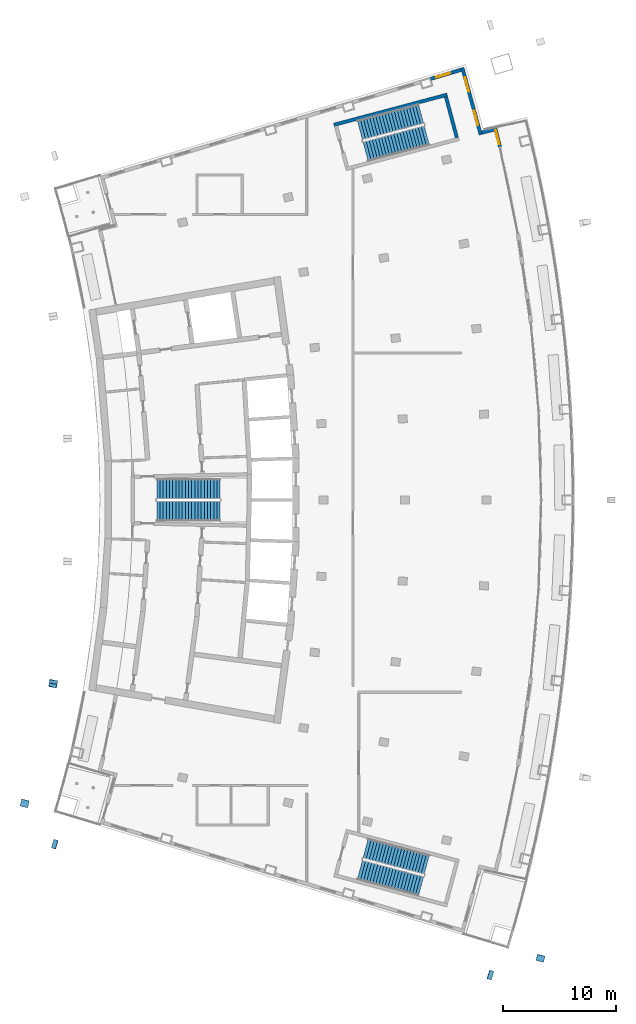
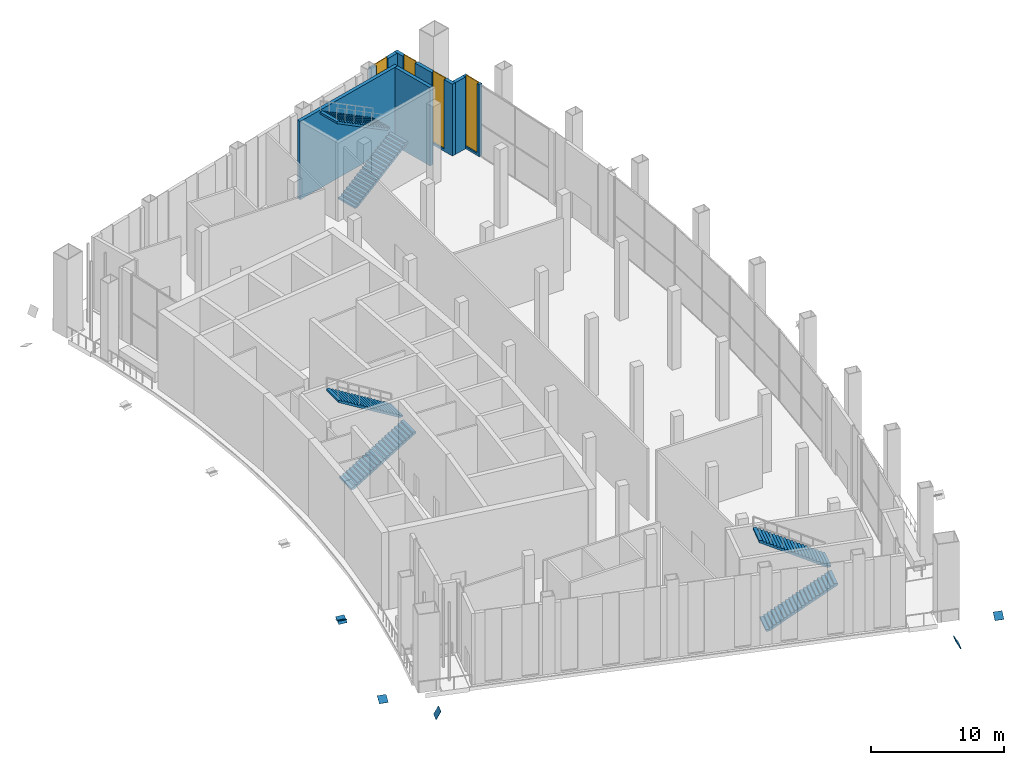
# One storey, part 17 of 24: 6 discrete accessories, 6 stair flights, 6 walls, 4 windows, 4 openings, 3 elements without a shape of their own.
"""IFC4 building model written with IfcOpenShell, lengths in metres."""

import ifcopenshell
import ifcopenshell.guid

model = None  # the IFC model being written
_history = None  # IfcOwnerHistory: only IFC2X3 demands one
_inside = {}  # id of a spatial element -> (the spatial element, [elements in it])
_under = {}  # id of a project, library or spatial element -> (it, [spatial elements below it])
_declared = {}  # id of a project -> (the project, [libraries it declares])
_typed = {}  # id of a type object -> (the type object, [elements of that type])
_made_of = {}  # id of a material, layer set ... -> (it, [elements and type objects made of it])


def new_model(schema):
    """Start an empty IFC model of exactly this schema.

    Asked for "IFC4X3", IfcOpenShell would pick the latest addendum, in which some entities
    have other attributes; the version numbers below select the first issue.
    IFC2X3 requires an IfcOwnerHistory on every rooted entity: one is made here for all.
    """
    global model, _history
    if schema == "IFC4X3":
        model = ifcopenshell.file(schema_version=(4, 3, 0, 0))
    else:
        model = ifcopenshell.file(schema=schema)
    _inside.clear()
    _under.clear()
    _declared.clear()
    _typed.clear()
    _made_of.clear()
    _history = None
    if model.schema == "IFC2X3":
        org = make("IfcOrganization", Name="unknown")
        user = make(
            "IfcPersonAndOrganization",
            ThePerson=make("IfcPerson", FamilyName="unknown"),
            TheOrganization=org,
        )
        app = make(
            "IfcApplication",
            ApplicationDeveloper=org,
            Version="unknown",
            ApplicationFullName="unknown",
            ApplicationIdentifier="unknown",
        )
        _history = make(
            "IfcOwnerHistory",
            OwningUser=user,
            OwningApplication=app,
            ChangeAction="ADDED",
            CreationDate=0,
        )
    return model


def make(cls, **values):
    """One entity of the class cls with the attributes given. An attribute that is None is left unset."""
    return model.create_entity(
        cls, **{name: value for name, value in values.items() if value is not None}
    )


def rooted(cls, **values):
    """An entity with a GlobalId (a new one), such as an element, a storey or a relation."""
    return make(cls, GlobalId=ifcopenshell.guid.new(), OwnerHistory=_history, **values)


def si_unit(unit_type, name, prefix=None):
    """IfcSIUnit, for example si_unit("LENGTHUNIT", "METRE", prefix="MILLI")."""
    return make("IfcSIUnit", UnitType=unit_type, Prefix=prefix, Name=name)


def assignment(units):
    """IfcUnitAssignment: the units of a project."""
    return None if units is None else make("IfcUnitAssignment", Units=units)


def point(xyz):
    """IfcCartesianPoint."""
    return None if xyz is None else make("IfcCartesianPoint", Coordinates=xyz)


def direction(xyz):
    """IfcDirection."""
    return None if xyz is None else make("IfcDirection", DirectionRatios=xyz)


def frame(location, z_axis=None, x_axis=None):
    """IfcAxis2Placement3D, a coordinate frame: its origin and axes. An axis left out is left unset."""
    return make(
        "IfcAxis2Placement3D",
        Location=point(location),
        Axis=direction(z_axis),
        RefDirection=direction(x_axis),
    )


def frame_2d(location, x_axis=None):
    """IfcAxis2Placement2D, a coordinate frame in the plane: its origin and x axis."""
    return make(
        "IfcAxis2Placement2D", Location=point(location), RefDirection=direction(x_axis)
    )


def origin():
    """The frame at (0, 0, 0) with its axes left unset."""
    return frame((0.0, 0.0, 0.0))


def origin_2d():
    """The frame at (0, 0) in the plane with its x axis left unset."""
    return frame_2d((0.0, 0.0))


def place(relative_to, where):
    """IfcLocalPlacement: puts the frame where relative to a parent placement (None: the world)."""
    return make(
        "IfcLocalPlacement", PlacementRelTo=relative_to, RelativePlacement=where
    )


def context(
    kind, dimensions, precision=None, world=None, true_north=None, identifier=None
):
    """IfcGeometricRepresentationContext, for example the 3D "Model" context."""
    return make(
        "IfcGeometricRepresentationContext",
        ContextIdentifier=identifier,
        ContextType=kind,
        CoordinateSpaceDimension=dimensions,
        Precision=precision,
        WorldCoordinateSystem=world,
        TrueNorth=true_north,
    )


def subcontext(parent, identifier, kind, view, scale=None):
    """IfcGeometricRepresentationSubContext, for example "Body" below "Model"."""
    return make(
        "IfcGeometricRepresentationSubContext",
        ContextIdentifier=identifier,
        ContextType=kind,
        ParentContext=parent,
        TargetScale=scale,
        TargetView=view,
    )


def project(units=None, contexts=None):
    """IfcProject with its units and contexts."""
    return rooted(
        "IfcProject",
        Name="project",
        RepresentationContexts=contexts,
        UnitsInContext=assignment(units),
    )


def spatial(cls, under=None, at=None, **own):
    """A site, building, storey or space (cls), placed at a placement, below another one or the project."""
    s = rooted(cls, ObjectPlacement=at, **own)
    if under is not None:
        _under.setdefault(under.id(), (under, []))[1].append(s)
    return s


def polyline(points):
    """IfcPolyline through the points."""
    return make("IfcPolyline", Points=[point(p) for p in points])


def profile(cls, at=None, kind="AREA", **sizes):
    """A parametric profile (cls). Its sizes go by their IFC names, for example OverallWidth=200.0."""
    return make(cls, ProfileType=kind, Position=at, **sizes)


def rectangle(**sizes):
    """IfcRectangleProfileDef."""
    return profile("IfcRectangleProfileDef", **sizes)


def outline(outer, holes=None, kind="AREA"):
    """IfcArbitraryClosedProfileDef: a profile drawn as a closed curve; with holes, ...WithVoids."""
    if holes is None:
        return make("IfcArbitraryClosedProfileDef", ProfileType=kind, OuterCurve=outer)
    return make(
        "IfcArbitraryProfileDefWithVoids",
        ProfileType=kind,
        OuterCurve=outer,
        InnerCurves=holes,
    )


def extrude(swept, where, along, depth):
    """IfcExtrudedAreaSolid: the profile swept, set in the frame where, extruded along a direction by depth."""
    return make(
        "IfcExtrudedAreaSolid",
        SweptArea=swept,
        Position=where,
        ExtrudedDirection=direction(along),
        Depth=depth,
    )


def shape(context_of_items, identifier, shape_type, items):
    """IfcShapeRepresentation: the items that make up one representation, for example the "Body"."""
    return make(
        "IfcShapeRepresentation",
        ContextOfItems=context_of_items,
        RepresentationIdentifier=identifier,
        RepresentationType=shape_type,
        Items=items,
    )


def material(Name=None, Category=None):
    """IfcMaterial."""
    return make("IfcMaterial", Name=Name, Category=Category)


def layer(
    of_material, thickness, ventilated=None, Name=None, Category=None, Priority=None
):
    """IfcMaterialLayer: one layer of a wall or slab, of a material (None: an air gap)."""
    return make(
        "IfcMaterialLayer",
        Material=of_material,
        LayerThickness=thickness,
        IsVentilated=ventilated,
        Name=Name,
        Category=Category,
        Priority=Priority,
    )


def layer_set(layers, Name=None):
    """IfcMaterialLayerSet."""
    return make("IfcMaterialLayerSet", MaterialLayers=layers, LayerSetName=Name)


def material_profile(
    of_material, cross_section, Name=None, Category=None, Priority=None
):
    """IfcMaterialProfile: a cross section and its material."""
    return make(
        "IfcMaterialProfile",
        Name=Name,
        Material=of_material,
        Profile=cross_section,
        Priority=Priority,
        Category=Category,
    )


def profile_set(profiles, Name=None, composite=None):
    """IfcMaterialProfileSet."""
    return make(
        "IfcMaterialProfileSet",
        Name=Name,
        MaterialProfiles=profiles,
        CompositeProfile=composite,
    )


def made_of(thing, what):
    """Note that an element or type object is made of a material, layer set ...; save() writes the relation."""
    if what is not None:
        _made_of.setdefault(what.id(), (what, []))[1].append(thing)
    return thing


def type_object(cls, material=None, **own):
    """A type object (cls), such as IfcWallType, which elements share."""
    return made_of(rooted(cls, **own), material)


def element(
    cls,
    number,
    at=None,
    inside=None,
    cuts=None,
    type_object=None,
    material=None,
    context=None,
    identifier="Body",
    shape_type=None,
    held_by="IfcProductDefinitionShape",
    body=None,
    shapes=None,
    **own,
):
    """One element of the class cls, such as IfcWall. Its Tag is "e" and its number.

    at: its placement. inside: the storey or other place that contains it. cuts: it is an
    opening in that element (IfcRelVoidsElement). A single representation is given by context,
    identifier, shape_type and body (its items); several are given by shapes. held_by: the class
    of the entity that holds the representations. save() writes the other relations.
    """
    e = rooted(cls, Tag="e%d" % number, ObjectPlacement=at, **own)
    if body is not None:
        shapes = [shape(context, identifier, shape_type, body)]
    if shapes is not None:
        e.Representation = make(held_by, Representations=shapes)
    if inside is not None:
        _inside.setdefault(inside.id(), (inside, []))[1].append(e)
    if cuts is not None:
        rooted(
            "IfcRelVoidsElement", RelatingBuildingElement=cuts, RelatedOpeningElement=e
        )
    if type_object is not None:
        _typed.setdefault(type_object.id(), (type_object, []))[1].append(e)
    return made_of(e, material)


def fill(opening, filler):
    """IfcRelFillsElement: the door or window that sits in an opening."""
    return rooted(
        "IfcRelFillsElement",
        RelatingOpeningElement=opening,
        RelatedBuildingElement=filler,
    )


def aggregate(whole, parts):
    """IfcRelAggregates: a whole, such as a stair, and the parts it consists of."""
    return rooted("IfcRelAggregates", RelatingObject=whole, RelatedObjects=parts)


def save(model, path):
    """Write the relations noted so far, then the file.

    IfcRelAggregates (storeys below a building ...), IfcRelContainedInSpatialStructure (elements
    in a storey), IfcRelDefinesByType, IfcRelAssociatesMaterial and IfcRelDeclares: one each for
    every whole, place, type object, material and project.
    """
    for whole, parts in _under.values():
        aggregate(whole, parts)
    for where, things in _inside.values():
        rooted(
            "IfcRelContainedInSpatialStructure",
            RelatedElements=things,
            RelatingStructure=where,
        )
    for kind, things in _typed.values():
        rooted("IfcRelDefinesByType", RelatedObjects=things, RelatingType=kind)
    for what, things in _made_of.values():
        rooted("IfcRelAssociatesMaterial", RelatedObjects=things, RelatingMaterial=what)
    for by, libraries in _declared.values():
        rooted("IfcRelDeclares", RelatingContext=by, RelatedDefinitions=libraries)
    model.write(path)


model = new_model("IFC4")

# Units and contexts
model_context = context("Model", 3, precision=1e-05, world=origin(), true_north=direction((0.0, 1.0)))
body_context = subcontext(model_context, "Body", "Model", "MODEL_VIEW")
ifc_project = project(units=[si_unit("LENGTHUNIT", "METRE"), si_unit("AREAUNIT", "SQUARE_METRE"), si_unit("VOLUMEUNIT", "CUBIC_METRE"), si_unit("PLANEANGLEUNIT", "RADIAN"), si_unit("MASSUNIT", "GRAM", prefix="KILO")], contexts=[model_context])

# Site, building, storey
site_placement = place(None, origin())
site = spatial("IfcSite", under=ifc_project, at=site_placement, CompositionType="ELEMENT")
building_placement = place(site_placement, origin())
building = spatial("IfcBuilding", under=site, at=building_placement, Name="Alderwake Tower", CompositionType="ELEMENT")
storey_placement = place(building_placement, frame((0.0, 0.0, 232.39990234375)))
storey = spatial("IfcBuildingStorey", under=building, at=storey_placement, Name="L58", CompositionType="ELEMENT", Elevation=232.39990234375)

# Walls
ifc_material_1 = material(Name="Concrete C70/85", Category="concrete")
ifc_layer_1 = layer(ifc_material_1, 0.300048828125)
ifc_layer_set_1 = layer_set([ifc_layer_1], Name="Core wall stair enclosure 300 C70-85")
wall_type_1 = type_object("IfcWallType", Name="Core wall stair enclosure 300 C70-85", PredefinedType="SHEAR", material=ifc_layer_set_1)
wall_1_placement = place(storey_placement, frame((36.71142578125, 94.182373046875, 0.0), z_axis=(0.0, 0.0, 1.0), x_axis=(0.966309214305, 0.257383958996, 0.0)))
element("IfcWall", 1, at=wall_1_placement, inside=storey, type_object=wall_type_1, Name="Core wall CW.082", PredefinedType="SHEAR", context=body_context, shape_type="SweptSolid", body=[
    extrude(rectangle(XDim=10.360107421875, YDim=0.300048828125, at=frame_2d((5.18017578125, 0.0))), origin(), (0.0, 0.0, 1.0), 7.2001953125),
])
wall_2_placement = place(storey_placement, frame((47.581298828125, 93.041748046875, 0.0), z_axis=(0.0, 0.0, 1.0), x_axis=(-0.257366821694, 0.966313778796, 0.0)))
element("IfcWall", 2, at=wall_2_placement, inside=storey, type_object=wall_type_1, Name="Core wall CW.081", PredefinedType="SHEAR", context=body_context, shape_type="SweptSolid", body=[
    extrude(rectangle(XDim=3.749755859375, YDim=0.300048828125, at=frame_2d((1.875, 0.0))), origin(), (0.0, 0.0, 1.0), 7.2001953125),
])

# Wall, opening, window
ifc_material_2 = material(Name="Precast concrete C50/60 spandrel panel", Category="concrete")
ifc_layer_2 = layer(ifc_material_2, 0.300048828125)
ifc_layer_set_2 = layer_set([ifc_layer_2], Name="External wall EW1 Precast concrete C50/60 spandrel")
wall_type_2 = type_object("IfcWallType", Name="External wall EW1 Precast concrete C50/60 spandrel", PredefinedType="SOLIDWALL", material=ifc_layer_set_2)
wall_3_placement = place(storey_placement, frame((51.390380859375, 92.226318359375, 0.0), z_axis=(0.0, 0.0, 1.0), x_axis=(-0.238410593757, 0.971164449918, 0.0)))
wall_3 = element("IfcWall", 3, at=wall_3_placement, inside=storey, type_object=wall_type_2, Name="External wall 17", PredefinedType="SOLIDWALL", context=body_context, shape_type="SweptSolid", body=[
    extrude(rectangle(XDim=1.76953125, YDim=0.300048828125, at=frame_2d((0.884765625, 0.0))), origin(), (0.0, 0.0, 1.0), 6.60009765625),
])
opening_1_placement = place(wall_3_placement, frame((0.23486328125, 0.0, 0.199951171875)))
opening_1 = element("IfcOpeningElement", 4, at=opening_1_placement, cuts=wall_3, Name="Opening W5", PredefinedType="OPENING", context=body_context, shape_type="SweptSolid", body=[
    extrude(rectangle(XDim=1.300048828125, YDim=6.5, at=frame_2d((0.64990234375, 3.25))), frame((0.0, 0.159912109375, 0.0), z_axis=(0.0, -1.0, 0.0), x_axis=(1.0, 0.0, 0.0)), (0.0, 0.0, 1.0), 0.320068359375),
])
ifc_material_3 = material(Name="Bronze tinted glass in aluminium frame", Category="aluminium")
window_type = type_object("IfcWindowType", Name="Window W5 garden floor tall", PartitioningType="SINGLE_PANEL", PredefinedType="WINDOW", material=ifc_material_3)
window_1_placement = place(opening_1_placement, origin())
window_1 = element("IfcWindow", 5, at=window_1_placement, inside=storey, type_object=window_type, Name="Window W5 garden floor tall", OverallHeight=6.5, OverallWidth=1.300048828125, PartitioningType="SINGLE_PANEL", PredefinedType="WINDOW", context=body_context, shape_type="SweptSolid", body=[
    extrude(rectangle(XDim=1.300048828125, YDim=6.5, at=frame_2d((0.64990234375, 3.25))), frame((0.0, 0.030029296875, 0.0), z_axis=(0.0, -1.0, 0.0), x_axis=(1.0, 0.0, 0.0)), (0.0, 0.0, 1.0), 0.06005859375),
])
fill(opening_1, window_1)

# Wall
ifc_material_4 = material(Name="Bronze metal cladding on lightweight framing")
ifc_layer_3 = layer(ifc_material_4, 0.300048828125)
ifc_layer_set_3 = layer_set([ifc_layer_3], Name="External wall EW2 bronze metal cladding")
wall_type_3 = type_object("IfcWallType", Name="External wall EW2 bronze metal cladding", PredefinedType="SOLIDWALL", material=ifc_layer_set_3)
wall_4_placement = place(storey_placement, frame((50.85888671875, 93.762451171875, 0.0), z_axis=(0.0, 0.0, 1.0), x_axis=(-0.969416374533, -0.24542186697, 0.0)))
element("IfcWall", 6, at=wall_4_placement, inside=storey, type_object=wall_type_3, Name="External wall 18", PredefinedType="SOLIDWALL", context=body_context, shape_type="SweptSolid", body=[
    extrude(rectangle(XDim=1.09423828125, YDim=0.300048828125, at=frame_2d((0.547119140625, 0.0))), origin(), (0.0, 0.0, 1.0), 6.60009765625),
])

# Wall, openings, windows
wall_5_placement = place(storey_placement, frame((49.6923828125, 93.3125, 0.0), z_axis=(0.0, 0.0, 1.0), x_axis=(-0.265086321633, 0.96422468444, 0.0)))
wall_5 = element("IfcWall", 7, at=wall_5_placement, inside=storey, type_object=wall_type_3, Name="External wall 19", PredefinedType="SOLIDWALL", context=body_context, shape_type="SweptSolid", body=[
    extrude(rectangle(XDim=6.146728515625, YDim=0.300048828125, at=frame_2d((3.0732421875, 0.0))), origin(), (0.0, 0.0, 1.0), 6.60009765625),
])
opening_2_placement = place(wall_5_placement, frame((0.88671875, 0.0, 0.199951171875)))
opening_2 = element("IfcOpeningElement", 8, at=opening_2_placement, cuts=wall_5, Name="Opening W5", PredefinedType="OPENING", context=body_context, shape_type="SweptSolid", body=[
    extrude(rectangle(XDim=1.300048828125, YDim=6.5, at=frame_2d((0.64990234375, 3.25))), frame((0.0, 0.159912109375, 0.0), z_axis=(0.0, -1.0, 0.0), x_axis=(1.0, 0.0, 0.0)), (0.0, 0.0, 1.0), 0.320068359375),
])
opening_3_placement = place(wall_5_placement, frame((3.9599609375, 0.0, 0.199951171875)))
opening_3 = element("IfcOpeningElement", 9, at=opening_3_placement, cuts=wall_5, Name="Opening W5", PredefinedType="OPENING", context=body_context, shape_type="SweptSolid", body=[
    extrude(rectangle(XDim=1.300048828125, YDim=6.5, at=frame_2d((0.64990234375, 3.25))), frame((0.0, 0.159912109375, 0.0), z_axis=(0.0, -1.0, 0.0), x_axis=(1.0, 0.0, 0.0)), (0.0, 0.0, 1.0), 0.320068359375),
])
window_2_placement = place(opening_2_placement, origin())
window_2 = element("IfcWindow", 10, at=window_2_placement, inside=storey, type_object=window_type, Name="Window W5 garden floor tall", OverallHeight=6.5, OverallWidth=1.300048828125, PartitioningType="SINGLE_PANEL", PredefinedType="WINDOW", context=body_context, shape_type="SweptSolid", body=[
    extrude(rectangle(XDim=1.300048828125, YDim=6.5, at=frame_2d((0.64990234375, 3.25))), frame((0.0, 0.030029296875, 0.0), z_axis=(0.0, -1.0, 0.0), x_axis=(1.0, 0.0, 0.0)), (0.0, 0.0, 1.0), 0.06005859375),
])
fill(opening_2, window_2)
window_3_placement = place(opening_3_placement, origin())
window_3 = element("IfcWindow", 11, at=window_3_placement, inside=storey, type_object=window_type, Name="Window W5 garden floor tall", OverallHeight=6.5, OverallWidth=1.300048828125, PartitioningType="SINGLE_PANEL", PredefinedType="WINDOW", context=body_context, shape_type="SweptSolid", body=[
    extrude(rectangle(XDim=1.300048828125, YDim=6.5, at=frame_2d((0.64990234375, 3.25))), frame((0.0, 0.030029296875, 0.0), z_axis=(0.0, -1.0, 0.0), x_axis=(1.0, 0.0, 0.0)), (0.0, 0.0, 1.0), 0.06005859375),
])
fill(opening_3, window_3)

# Wall, opening, window
wall_6_placement = place(storey_placement, frame((47.959228515625, 99.051513671875, 0.0), z_axis=(0.0, 0.0, 1.0), x_axis=(-0.957764339178, -0.287554291569, 0.0)))
wall_6 = element("IfcWall", 12, at=wall_6_placement, inside=storey, type_object=wall_type_3, Name="External wall 20", PredefinedType="SOLIDWALL", context=body_context, shape_type="SweptSolid", body=[
    extrude(rectangle(XDim=2.8212890625, YDim=0.300048828125, at=frame_2d((1.41064453125, 0.0))), origin(), (0.0, 0.0, 1.0), 6.60009765625),
])
opening_4_placement = place(wall_6_placement, frame((0.9990234375, 0.0, 0.199951171875)))
opening_4 = element("IfcOpeningElement", 13, at=opening_4_placement, cuts=wall_6, Name="Opening W5", PredefinedType="OPENING", context=body_context, shape_type="SweptSolid", body=[
    extrude(rectangle(XDim=1.300048828125, YDim=6.5, at=frame_2d((0.64990234375, 3.25))), frame((0.0, 0.159912109375, 0.0), z_axis=(0.0, -1.0, 0.0), x_axis=(1.0, 0.0, 0.0)), (0.0, 0.0, 1.0), 0.320068359375),
])
window_4_placement = place(opening_4_placement, origin())
window_4 = element("IfcWindow", 14, at=window_4_placement, inside=storey, type_object=window_type, Name="Window W5 garden floor tall", OverallHeight=6.5, OverallWidth=1.300048828125, PartitioningType="SINGLE_PANEL", PredefinedType="WINDOW", context=body_context, shape_type="SweptSolid", body=[
    extrude(rectangle(XDim=1.300048828125, YDim=6.5, at=frame_2d((0.64990234375, 3.25))), frame((0.0, 0.030029296875, 0.0), z_axis=(0.0, -1.0, 0.0), x_axis=(1.0, 0.0, 0.0)), (0.0, 0.0, 1.0), 0.06005859375),
])
fill(opening_4, window_4)

# Stair, stair flights
ifc_material_5 = material(Name="Concrete C40/50", Category="concrete")
stair_type = type_object("IfcStairType", Name="Core exit stair", PredefinedType="HALF_TURN_STAIR", material=ifc_material_5)
stair_1_placement = place(storey_placement, origin())
stair_1 = element("IfcStair", 15, at=stair_1_placement, inside=storey, type_object=stair_type, Name="L58 Exit Stair B", PredefinedType="HALF_TURN_STAIR")
ifc_material_6 = material(Name="Concrete C40/50", Category="concrete")
ifc_layer_4 = layer(ifc_material_6, 0.14990234375)
ifc_layer_set_4 = layer_set([ifc_layer_4], Name="Core stair flight")
stair_flight_type = type_object("IfcStairFlightType", Name="Core stair flight", PredefinedType="STRAIGHT", material=ifc_layer_set_4)
stair_flight_1_placement = place(storey_placement, frame((21.0400390625, 60.02490234375, 0.0), z_axis=(0.0, 0.0, 1.0), x_axis=(1.0, 0.0, 0.0)))
stair_flight_1 = element("IfcStairFlight", 16, at=stair_flight_1_placement, type_object=stair_flight_type, Name="ST-B flight 1", NumberOfRisers=21, NumberOfTreads=20, PredefinedType="STRAIGHT", RiserHeight=0.171428571, TreadLength=0.28, context=body_context, shape_type="SweptSolid", body=[
    extrude(outline(polyline([(0.0, 0.0), (0.0, 0.17138671875), (0.280029296875, 0.17138671875), (0.280029296875, 0.3427734375), (0.56005859375, 0.3427734375), (0.56005859375, 0.514404296875), (0.840087890625, 0.514404296875), (0.840087890625, 0.685791015625), (1.1201171875, 0.685791015625), (1.1201171875, 0.857177734375), (1.39990234375, 0.857177734375), (1.39990234375, 1.028564453125), (1.679931640625, 1.028564453125), (1.679931640625, 1.199951171875), (1.9599609375, 1.199951171875), (1.9599609375, 1.371337890625), (2.239990234375, 1.371337890625), (2.239990234375, 1.54296875), (2.52001953125, 1.54296875), (2.52001953125, 1.71435546875), (2.800048828125, 1.71435546875), (2.800048828125, 1.8857421875), (3.080078125, 1.8857421875), (3.080078125, 2.05712890625), (3.360107421875, 2.05712890625), (3.360107421875, 2.228515625), (3.639892578125, 2.228515625), (3.639892578125, 2.39990234375), (3.919921875, 2.39990234375), (3.919921875, 2.571533203125), (4.199951171875, 2.571533203125), (4.199951171875, 2.742919921875), (4.47998046875, 2.742919921875), (4.47998046875, 2.914306640625), (4.760009765625, 2.914306640625), (4.760009765625, 3.085693359375), (5.0400390625, 3.085693359375), (5.0400390625, 3.257080078125), (5.320068359375, 3.257080078125), (5.320068359375, 3.428466796875), (5.60009765625, 3.428466796875), (5.60009765625, 3.60009765625), (5.60009765625, 3.252685546875), (0.287109375, 0.0), (0.0, 0.0)])), frame((0.0, 0.89990234375, 0.0), z_axis=(0.0, -1.0, 0.0), x_axis=(1.0, 0.0, 0.0)), (0.0, 0.0, 1.0), 1.800048828125),
])
stair_flight_2_placement = place(storey_placement, frame((26.639892578125, 61.97509765625, 3.60009765625), z_axis=(0.0, 0.0, 1.0), x_axis=(-1.0, 0.0, 0.0)))
stair_flight_2 = element("IfcStairFlight", 17, at=stair_flight_2_placement, type_object=stair_flight_type, Name="ST-B flight 2", NumberOfRisers=21, NumberOfTreads=20, PredefinedType="STRAIGHT", RiserHeight=0.171428571, TreadLength=0.28, context=body_context, shape_type="SweptSolid", body=[
    extrude(outline(polyline([(0.0, 0.0), (0.0, 0.17138671875), (0.280029296875, 0.17138671875), (0.280029296875, 0.3427734375), (0.56005859375, 0.3427734375), (0.56005859375, 0.514404296875), (0.840087890625, 0.514404296875), (0.840087890625, 0.685791015625), (1.1201171875, 0.685791015625), (1.1201171875, 0.857177734375), (1.39990234375, 0.857177734375), (1.39990234375, 1.028564453125), (1.679931640625, 1.028564453125), (1.679931640625, 1.199951171875), (1.9599609375, 1.199951171875), (1.9599609375, 1.371337890625), (2.239990234375, 1.371337890625), (2.239990234375, 1.54296875), (2.52001953125, 1.54296875), (2.52001953125, 1.71435546875), (2.800048828125, 1.71435546875), (2.800048828125, 1.8857421875), (3.080078125, 1.8857421875), (3.080078125, 2.05712890625), (3.360107421875, 2.05712890625), (3.360107421875, 2.228515625), (3.639892578125, 2.228515625), (3.639892578125, 2.39990234375), (3.919921875, 2.39990234375), (3.919921875, 2.571533203125), (4.199951171875, 2.571533203125), (4.199951171875, 2.742919921875), (4.47998046875, 2.742919921875), (4.47998046875, 2.914306640625), (4.760009765625, 2.914306640625), (4.760009765625, 3.085693359375), (5.0400390625, 3.085693359375), (5.0400390625, 3.257080078125), (5.320068359375, 3.257080078125), (5.320068359375, 3.428466796875), (5.60009765625, 3.428466796875), (5.60009765625, 3.60009765625), (5.60009765625, 3.252685546875), (0.287109375, 0.0), (0.0, 0.0)])), frame((0.0, 0.89990234375, 0.0), z_axis=(0.0, -1.0, 0.0), x_axis=(1.0, 0.0, 0.0)), (0.0, 0.0, 1.0), 1.800048828125),
])
aggregate(stair_1, [stair_flight_1, stair_flight_2])

stair_2_placement = place(storey_placement, origin())
stair_2 = element("IfcStair", 18, at=stair_2_placement, inside=storey, type_object=stair_type, Name="L58 Exit Stair A", PredefinedType="HALF_TURN_STAIR")
stair_flight_3_placement = place(storey_placement, frame((39.512939453125, 91.823974609375, 0.0), z_axis=(0.0, 0.0, 1.0), x_axis=(0.966309627437, 0.257382407951, 0.0)))
stair_flight_3 = element("IfcStairFlight", 19, at=stair_flight_3_placement, type_object=stair_flight_type, Name="ST-A flight 1", NumberOfRisers=21, NumberOfTreads=20, PredefinedType="STRAIGHT", RiserHeight=0.171428571, TreadLength=0.28, context=body_context, shape_type="SweptSolid", body=[
    extrude(outline(polyline([(0.0, 0.0), (0.0, 0.17138671875), (0.280029296875, 0.17138671875), (0.280029296875, 0.3427734375), (0.56005859375, 0.3427734375), (0.56005859375, 0.514404296875), (0.840087890625, 0.514404296875), (0.840087890625, 0.685791015625), (1.1201171875, 0.685791015625), (1.1201171875, 0.857177734375), (1.39990234375, 0.857177734375), (1.39990234375, 1.028564453125), (1.679931640625, 1.028564453125), (1.679931640625, 1.199951171875), (1.9599609375, 1.199951171875), (1.9599609375, 1.371337890625), (2.239990234375, 1.371337890625), (2.239990234375, 1.54296875), (2.52001953125, 1.54296875), (2.52001953125, 1.71435546875), (2.800048828125, 1.71435546875), (2.800048828125, 1.8857421875), (3.080078125, 1.8857421875), (3.080078125, 2.05712890625), (3.360107421875, 2.05712890625), (3.360107421875, 2.228515625), (3.639892578125, 2.228515625), (3.639892578125, 2.39990234375), (3.919921875, 2.39990234375), (3.919921875, 2.571533203125), (4.199951171875, 2.571533203125), (4.199951171875, 2.742919921875), (4.47998046875, 2.742919921875), (4.47998046875, 2.914306640625), (4.760009765625, 2.914306640625), (4.760009765625, 3.085693359375), (5.0400390625, 3.085693359375), (5.0400390625, 3.257080078125), (5.320068359375, 3.257080078125), (5.320068359375, 3.428466796875), (5.60009765625, 3.428466796875), (5.60009765625, 3.60009765625), (5.60009765625, 3.252685546875), (0.287109375, 0.0), (0.0, 0.0)])), frame((0.0, 0.89990234375, 0.0), z_axis=(0.0, -1.0, 0.0), x_axis=(1.0, 0.0, 0.0)), (0.0, 0.0, 1.0), 1.800048828125),
])
stair_flight_4_placement = place(storey_placement, frame((44.42236328125, 95.149658203125, 3.60009765625), z_axis=(0.0, 0.0, 1.0), x_axis=(-0.966309627437, -0.257382407951, 0.0)))
stair_flight_4 = element("IfcStairFlight", 20, at=stair_flight_4_placement, type_object=stair_flight_type, Name="ST-A flight 2", NumberOfRisers=21, NumberOfTreads=20, PredefinedType="STRAIGHT", RiserHeight=0.171428571, TreadLength=0.28, context=body_context, shape_type="SweptSolid", body=[
    extrude(outline(polyline([(0.0, 0.0), (0.0, 0.17138671875), (0.280029296875, 0.17138671875), (0.280029296875, 0.3427734375), (0.56005859375, 0.3427734375), (0.56005859375, 0.514404296875), (0.840087890625, 0.514404296875), (0.840087890625, 0.685791015625), (1.1201171875, 0.685791015625), (1.1201171875, 0.857177734375), (1.39990234375, 0.857177734375), (1.39990234375, 1.028564453125), (1.679931640625, 1.028564453125), (1.679931640625, 1.199951171875), (1.9599609375, 1.199951171875), (1.9599609375, 1.371337890625), (2.239990234375, 1.371337890625), (2.239990234375, 1.54296875), (2.52001953125, 1.54296875), (2.52001953125, 1.71435546875), (2.800048828125, 1.71435546875), (2.800048828125, 1.8857421875), (3.080078125, 1.8857421875), (3.080078125, 2.05712890625), (3.360107421875, 2.05712890625), (3.360107421875, 2.228515625), (3.639892578125, 2.228515625), (3.639892578125, 2.39990234375), (3.919921875, 2.39990234375), (3.919921875, 2.571533203125), (4.199951171875, 2.571533203125), (4.199951171875, 2.742919921875), (4.47998046875, 2.742919921875), (4.47998046875, 2.914306640625), (4.760009765625, 2.914306640625), (4.760009765625, 3.085693359375), (5.0400390625, 3.085693359375), (5.0400390625, 3.257080078125), (5.320068359375, 3.257080078125), (5.320068359375, 3.428466796875), (5.60009765625, 3.428466796875), (5.60009765625, 3.60009765625), (5.60009765625, 3.252685546875), (0.287109375, 0.0), (0.0, 0.0)])), frame((0.0, 0.89990234375, 0.0), z_axis=(0.0, -1.0, 0.0), x_axis=(1.0, 0.0, 0.0)), (0.0, 0.0, 1.0), 1.800048828125),
])
aggregate(stair_2, [stair_flight_3, stair_flight_4])

stair_3_placement = place(storey_placement, origin())
stair_3 = element("IfcStair", 21, at=stair_3_placement, inside=storey, type_object=stair_type, Name="L58 Exit Stair C", PredefinedType="HALF_TURN_STAIR")
stair_flight_5_placement = place(storey_placement, frame((39.010986328125, 28.291748046875, 0.0), z_axis=(0.0, 0.0, 1.0), x_axis=(0.966309627437, -0.257382407951, 0.0)))
stair_flight_5 = element("IfcStairFlight", 22, at=stair_flight_5_placement, type_object=stair_flight_type, Name="ST-C flight 1", NumberOfRisers=21, NumberOfTreads=20, PredefinedType="STRAIGHT", RiserHeight=0.171428571, TreadLength=0.28, context=body_context, shape_type="SweptSolid", body=[
    extrude(outline(polyline([(0.0, 0.0), (0.0, 0.17138671875), (0.280029296875, 0.17138671875), (0.280029296875, 0.3427734375), (0.56005859375, 0.3427734375), (0.56005859375, 0.514404296875), (0.840087890625, 0.514404296875), (0.840087890625, 0.685791015625), (1.1201171875, 0.685791015625), (1.1201171875, 0.857177734375), (1.39990234375, 0.857177734375), (1.39990234375, 1.028564453125), (1.679931640625, 1.028564453125), (1.679931640625, 1.199951171875), (1.9599609375, 1.199951171875), (1.9599609375, 1.371337890625), (2.239990234375, 1.371337890625), (2.239990234375, 1.54296875), (2.52001953125, 1.54296875), (2.52001953125, 1.71435546875), (2.800048828125, 1.71435546875), (2.800048828125, 1.8857421875), (3.080078125, 1.8857421875), (3.080078125, 2.05712890625), (3.360107421875, 2.05712890625), (3.360107421875, 2.228515625), (3.639892578125, 2.228515625), (3.639892578125, 2.39990234375), (3.919921875, 2.39990234375), (3.919921875, 2.571533203125), (4.199951171875, 2.571533203125), (4.199951171875, 2.742919921875), (4.47998046875, 2.742919921875), (4.47998046875, 2.914306640625), (4.760009765625, 2.914306640625), (4.760009765625, 3.085693359375), (5.0400390625, 3.085693359375), (5.0400390625, 3.257080078125), (5.320068359375, 3.257080078125), (5.320068359375, 3.428466796875), (5.60009765625, 3.428466796875), (5.60009765625, 3.60009765625), (5.60009765625, 3.252685546875), (0.287109375, 0.0), (0.0, 0.0)])), frame((0.0, 0.89990234375, 0.0), z_axis=(0.0, -1.0, 0.0), x_axis=(1.0, 0.0, 0.0)), (0.0, 0.0, 1.0), 1.800048828125),
])
stair_flight_6_placement = place(storey_placement, frame((44.92431640625, 28.734619140625, 3.60009765625), z_axis=(0.0, 0.0, 1.0), x_axis=(-0.966309627437, 0.257382407951, 0.0)))
stair_flight_6 = element("IfcStairFlight", 23, at=stair_flight_6_placement, type_object=stair_flight_type, Name="ST-C flight 2", NumberOfRisers=21, NumberOfTreads=20, PredefinedType="STRAIGHT", RiserHeight=0.171428571, TreadLength=0.28, context=body_context, shape_type="SweptSolid", body=[
    extrude(outline(polyline([(0.0, 0.0), (0.0, 0.17138671875), (0.280029296875, 0.17138671875), (0.280029296875, 0.3427734375), (0.56005859375, 0.3427734375), (0.56005859375, 0.514404296875), (0.840087890625, 0.514404296875), (0.840087890625, 0.685791015625), (1.1201171875, 0.685791015625), (1.1201171875, 0.857177734375), (1.39990234375, 0.857177734375), (1.39990234375, 1.028564453125), (1.679931640625, 1.028564453125), (1.679931640625, 1.199951171875), (1.9599609375, 1.199951171875), (1.9599609375, 1.371337890625), (2.239990234375, 1.371337890625), (2.239990234375, 1.54296875), (2.52001953125, 1.54296875), (2.52001953125, 1.71435546875), (2.800048828125, 1.71435546875), (2.800048828125, 1.8857421875), (3.080078125, 1.8857421875), (3.080078125, 2.05712890625), (3.360107421875, 2.05712890625), (3.360107421875, 2.228515625), (3.639892578125, 2.228515625), (3.639892578125, 2.39990234375), (3.919921875, 2.39990234375), (3.919921875, 2.571533203125), (4.199951171875, 2.571533203125), (4.199951171875, 2.742919921875), (4.47998046875, 2.742919921875), (4.47998046875, 2.914306640625), (4.760009765625, 2.914306640625), (4.760009765625, 3.085693359375), (5.0400390625, 3.085693359375), (5.0400390625, 3.257080078125), (5.320068359375, 3.257080078125), (5.320068359375, 3.428466796875), (5.60009765625, 3.428466796875), (5.60009765625, 3.60009765625), (5.60009765625, 3.252685546875), (0.287109375, 0.0), (0.0, 0.0)])), frame((0.0, 0.89990234375, 0.0), z_axis=(0.0, -1.0, 0.0), x_axis=(1.0, 0.0, 0.0)), (0.0, 0.0, 1.0), 1.800048828125),
])
aggregate(stair_3, [stair_flight_5, stair_flight_6])

# Discrete accessories
ifc_material_7 = material(Name="Steel ASTM A572 Grade 50", Category="steel")
ifc_material_profile_1 = material_profile(ifc_material_7, rectangle(XDim=0.699951171875, YDim=0.699951171875, at=origin_2d()), Name="BOX 700X700X45 cap")
ifc_profile_set_1 = profile_set([ifc_material_profile_1], Name="Steel ASTM A572 Grade 50")
discrete_accessory_type_1 = type_object("IfcDiscreteAccessoryType", Name="End cap plate BOX 700X700X45", PredefinedType="USERDEFINED", material=ifc_profile_set_1)
for number, where, z_axis, x_axis, name in (
    (24, (54.982421875, 20.474365234375, 0.0), (-0.154369542892, -0.584979320433, 0.796221852811), (0.966900358349, -0.255154261231, 0.0), "End cap BRF4.2.2B2 N"),
    (25, (11.875, 44.755615234375, 0.0), (0.105495990526, 0.438214114494, 0.892658381376), (-0.972223637158, 0.234053838575, 0.0), "End cap BRR4.2.2A N"),
    (26, (9.359619140625, 34.171630859375, 0.0), (-0.105869651339, -0.43162242469, 0.895820126716), (0.971210844098, -0.238221527798, 0.0), "End cap BRR4.2.2B2 N"),
    (27, (11.875, 44.755615234375, 0.0), (-0.056826119483, -0.446490938798, 0.892981877596), (0.991997911724, -0.126254279674, 0.0), "End cap BRR4.2.4B2 N"),
):
    element("IfcDiscreteAccessory", number, at=place(storey_placement, frame(where, z_axis=z_axis, x_axis=x_axis)), inside=storey, type_object=discrete_accessory_type_1, Name=name, ObjectType="END CAP", PredefinedType="USERDEFINED", context=body_context, shape_type="SweptSolid", body=[
        extrude(rectangle(XDim=0.699951171875, YDim=0.699951171875, at=origin_2d()), origin(), (0.0, 0.0, 1.0), 0.030029296875),
    ])
ifc_material_8 = material(Name="Steel ASTM A572 Grade 50", Category="steel")
ifc_material_profile_2 = material_profile(ifc_material_8, rectangle(XDim=0.800048828125, YDim=0.800048828125, at=origin_2d()), Name="BOX 800X800X50 cap")
ifc_profile_set_2 = profile_set([ifc_material_profile_2], Name="Steel ASTM A572 Grade 50")
discrete_accessory_type_2 = type_object("IfcDiscreteAccessoryType", Name="End cap plate BOX 800X800X50", PredefinedType="USERDEFINED", material=ifc_profile_set_2)
discrete_accessory_1_placement = place(storey_placement, frame((50.533203125, 18.9912109375, 0.0), z_axis=(0.840213747238, -0.258527306843, 0.476659721991), x_axis=(0.294085848838, 0.955779008722, 0.0)))
element("IfcDiscreteAccessory", 28, at=discrete_accessory_1_placement, inside=storey, type_object=discrete_accessory_type_2, Name="End cap BRS4.2.0A N", ObjectType="END CAP", PredefinedType="USERDEFINED", context=body_context, shape_type="SweptSolid", body=[
    extrude(rectangle(XDim=0.800048828125, YDim=0.800048828125, at=origin_2d()), origin(), (0.0, 0.0, 1.0), 0.0302734375),
])
discrete_accessory_2_placement = place(storey_placement, frame((12.031005859375, 30.550537109375, 0.0), z_axis=(-0.845193327069, 0.251932626338, 0.471357817019), x_axis=(-0.285656661543, -0.958332025822, 0.0)))
element("IfcDiscreteAccessory", 29, at=discrete_accessory_2_placement, inside=storey, type_object=discrete_accessory_type_2, Name="End cap BRS4.2.0B2 N", ObjectType="END CAP", PredefinedType="USERDEFINED", context=body_context, shape_type="SweptSolid", body=[
    extrude(rectangle(XDim=0.800048828125, YDim=0.800048828125, at=origin_2d()), origin(), (0.0, 0.0, 1.0), 0.030029296875),
])

save(model, "model.ifc")
